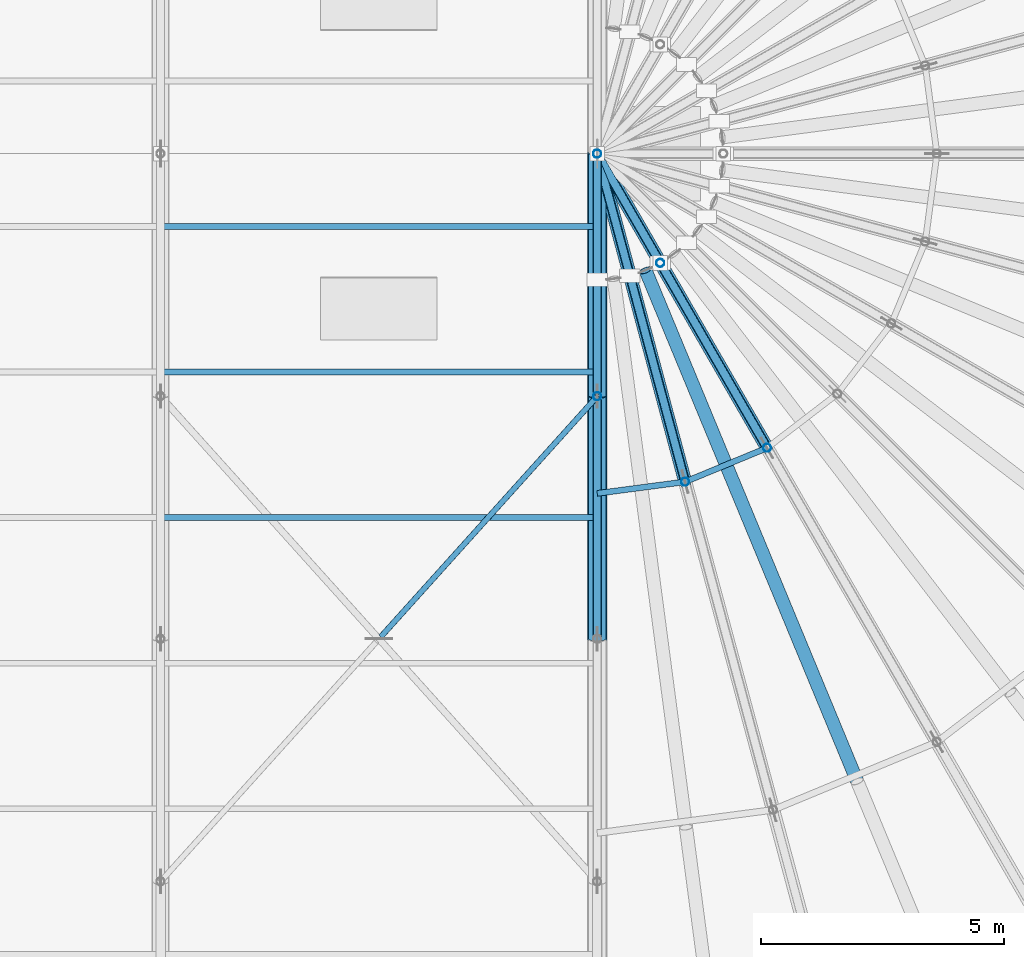
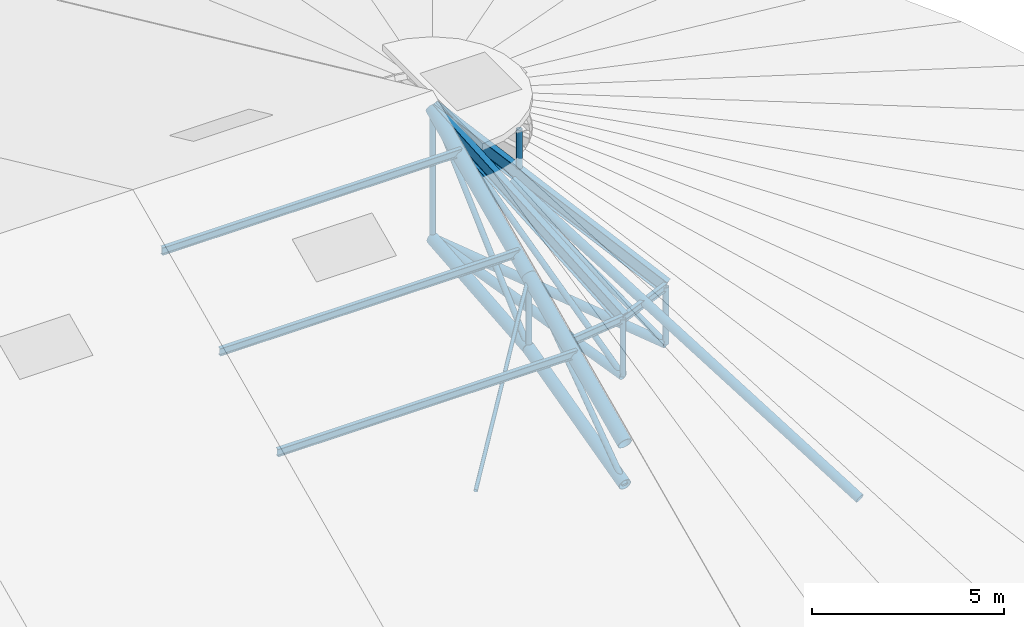
# One storey, part 37 of 107: 24 members.
"""IFC4 building model written with IfcOpenShell, lengths in metres."""

from ifc_helpers import new_model, si_unit, derived_unit, direction, frame, origin, origin_2d, place, context, subcontext, project, spatial, hollow_circle, i_section, extrude, material, material_profile, profile_set, type_object, element, save


model = new_model("IFC4")

# Units and contexts
model_context = context("Model", 3, precision=1e-05, world=origin(), true_north=direction((0.0, 1.0)))
body_context = subcontext(model_context, "Body", "Model", "MODEL_VIEW")
ifc_project = project(units=[si_unit("LENGTHUNIT", "METRE"), si_unit("AREAUNIT", "SQUARE_METRE"), si_unit("VOLUMEUNIT", "CUBIC_METRE"), si_unit("PLANEANGLEUNIT", "RADIAN"), si_unit("MASSUNIT", "GRAM", prefix="KILO"), si_unit("THERMODYNAMICTEMPERATUREUNIT", "KELVIN"), si_unit("TIMEUNIT", "SECOND"), derived_unit("THERMALTRANSMITTANCEUNIT", [(si_unit("MASSUNIT", "GRAM", prefix="KILO"), 1), (si_unit("THERMODYNAMICTEMPERATUREUNIT", "KELVIN"), -1), (si_unit("TIMEUNIT", "SECOND"), -3)])], contexts=[model_context])

# Site, building, storey
site_placement = place(None, origin())
site = spatial("IfcSite", under=ifc_project, at=site_placement, CompositionType="ELEMENT")
building_placement = place(site_placement, origin())
building = spatial("IfcBuilding", under=site, at=building_placement, Name="Cambertide Market Hall", CompositionType="ELEMENT")
storey_placement = place(building_placement, frame((0.0, 0.0, 18.300048828125)))
storey = spatial("IfcBuildingStorey", under=building, at=storey_placement, Name="RF", CompositionType="ELEMENT", Elevation=18.300048828125)

# Members
ifc_material_1 = material(Name="Steel S355", Category="steel")
ifc_material_profile_1 = material_profile(ifc_material_1, hollow_circle(Radius=0.136474609375, WallThickness=0.010009765625, at=origin_2d()), Name="CHS 273x10")
ifc_profile_set_1 = profile_set([ifc_material_profile_1], Name="Steel S355")
member_type_1 = type_object("IfcMemberType", Name="Arched Truss Chord CHS 273x10", PredefinedType="CHORD", material=ifc_profile_set_1)
for number, where, z_axis, x_axis, name in (
    (1, (105.0, 72.0, -4.5), (0.256795291619, -0.958354076456, -0.124954561115), (0.965924543531, 0.258823832372, 0.0), "Half-Cone Radial Arch Chord E-02-1"),
    (2, (105.0, 72.0, -4.5), (0.496076515077, -0.859240788635, -0.124953424661), (0.866028190633, 0.499995173006, 0.0), "Half-Cone Radial Arch Chord E-04-1"),
):
    element("IfcMember", number, at=place(storey_placement, frame(where, z_axis=z_axis, x_axis=x_axis)), inside=storey, type_object=member_type_1, Name=name, PredefinedType="CHORD", context=body_context, shape_type="SweptSolid", body=[
        extrude(hollow_circle(Radius=0.136474609375, WallThickness=0.010009765625, at=origin_2d()), origin(), (0.0, 0.0, 1.0), 7.055419921875),
    ])
ifc_material_2 = material(Name="Steel S355", Category="steel")
ifc_material_profile_2 = material_profile(ifc_material_2, hollow_circle(Radius=0.177734375, WallThickness=0.012451171875, at=origin_2d()), Name="CHS 355.6x12.5")
ifc_profile_set_2 = profile_set([ifc_material_profile_2], Name="Steel S355")
member_type_2 = type_object("IfcMemberType", Name="Arched Truss Chord CHS 355.6x12.5", PredefinedType="CHORD", material=ifc_profile_set_2)
member_1_placement = place(storey_placement, frame((105.0, 62.0, -6.251220703125), z_axis=(0.0, 0.968015607618, 0.250889982678), x_axis=(-1.0, 0.0, 0.0)))
element("IfcMember", 3, at=member_1_placement, inside=storey, type_object=member_type_2, Name="Roof Truss 8 Arched Bottom Chord 3", PredefinedType="CHORD", context=body_context, shape_type="SweptSolid", body=[
    extrude(hollow_circle(Radius=0.177734375, WallThickness=0.012451171875, at=origin_2d()), origin(), (0.0, 0.0, 1.0), 5.165283203125),
])
member_2_placement = place(storey_placement, frame((105.0, 67.0, -4.955322265625), z_axis=(0.0, 0.9958792443, 0.090689198761), x_axis=(-1.0, 0.0, 0.0)))
element("IfcMember", 4, at=member_2_placement, inside=storey, type_object=member_type_2, Name="Roof Truss 8 Arched Bottom Chord 4", PredefinedType="CHORD", context=body_context, shape_type="SweptSolid", body=[
    extrude(hollow_circle(Radius=0.177734375, WallThickness=0.012451171875, at=origin_2d()), origin(), (0.0, 0.0, 1.0), 5.020751953125),
])
ifc_material_3 = material(Name="Steel S355", Category="steel")
ifc_material_profile_3 = material_profile(ifc_material_3, hollow_circle(Radius=0.203125, WallThickness=0.01416015625, at=origin_2d()), Name="CHS 406.4x14.2")
ifc_profile_set_3 = profile_set([ifc_material_profile_3], Name="Steel S355")
member_type_3 = type_object("IfcMemberType", Name="Arched Truss Chord CHS 406.4x14.2", PredefinedType="CHORD", material=ifc_profile_set_3)
for number, where, z_axis, x_axis, name in (
    (5, (105.0, 62.0, -4.949951171875), (0.0, 0.908503925861, 0.417876317461), (-1.0, 0.0, 0.0), "Roof Truss 8 Top Chord 3"),
    (6, (105.0, 67.0, -2.650146484375), (0.0, 0.908487084298, 0.417912930721), (-1.0, 0.0, 0.0), "Roof Truss 8 Top Chord 4"),
):
    element("IfcMember", number, at=place(storey_placement, frame(where, z_axis=z_axis, x_axis=x_axis)), inside=storey, type_object=member_type_3, Name=name, PredefinedType="CHORD", context=body_context, shape_type="SweptSolid", body=[
        extrude(hollow_circle(Radius=0.203125, WallThickness=0.01416015625, at=origin_2d()), origin(), (0.0, 0.0, 1.0), 5.503662109375),
    ])
ifc_material_4 = material(Name="Steel S355", Category="steel")
ifc_material_profile_4 = material_profile(ifc_material_4, hollow_circle(Radius=0.136474609375, WallThickness=0.010009765625, at=origin_2d()), Name="CHS 273x10")
ifc_profile_set_4 = profile_set([ifc_material_profile_4], Name="Steel S355")
member_type_4 = type_object("IfcMemberType", Name="Radial Fan Rafter CHS 273x10", PredefinedType="RAFTER", material=ifc_profile_set_4)
member_3_placement = place(storey_placement, frame((105.994873046875, 69.597900390625, -1.546142578125), z_axis=(0.347679586527, -0.839333931883, -0.417896465529), x_axis=(0.923873271292, 0.382698547937, 0.0)))
element("IfcMember", 7, at=member_3_placement, inside=storey, type_object=member_type_4, Name="RAF-E-03-A", PredefinedType="RAFTER", context=body_context, shape_type="SweptSolid", body=[
    extrude(hollow_circle(Radius=0.136474609375, WallThickness=0.010009765625, at=origin_2d()), origin(), (0.0, 0.0, 1.0), 12.54833984375),
])
ifc_material_5 = material(Name="Steel S355", Category="steel")
ifc_material_profile_5 = material_profile(ifc_material_5, i_section(OverallWidth=0.18994140625, OverallDepth=0.449951171875, WebThickness=0.009521484375, FlangeThickness=0.0146484375, FilletRadius=0.02099609375, at=origin_2d()), Name="IPE 450")
ifc_profile_set_5 = profile_set([ifc_material_profile_5], Name="Steel S355")
member_type_5 = type_object("IfcMemberType", Name="Radial Fan Rafter IPE 450", PredefinedType="RAFTER", material=ifc_profile_set_5)
for number, where, z_axis, x_axis, name in (
    (8, (105.0, 72.0, -0.35009765625), (0.235139371303, -0.877534683767, -0.417902326925), (0.965924543531, 0.258823832372, 0.0), "Half-Cone Radial Truss Rafter E-02-1"),
    (9, (105.0, 72.0, -0.35009765625), (0.454242328693, -0.786780919627, -0.417899140146), (0.866028190633, 0.499995173006, 0.0), "Half-Cone Radial Truss Rafter E-04-1"),
):
    element("IfcMember", number, at=place(storey_placement, frame(where, z_axis=z_axis, x_axis=x_axis)), inside=storey, type_object=member_type_5, Name=name, PredefinedType="RAFTER", context=body_context, shape_type="SweptSolid", body=[
        extrude(i_section(OverallWidth=0.18994140625, OverallDepth=0.449951171875, WebThickness=0.009521484375, FlangeThickness=0.0146484375, FilletRadius=0.02099609375, at=origin_2d()), origin(), (0.0, 0.0, 1.0), 7.705078125),
    ])
ifc_material_6 = material(Name="Steel S275", Category="steel")
ifc_material_profile_6 = material_profile(ifc_material_6, i_section(OverallWidth=0.1201171875, OverallDepth=0.239990234375, WebThickness=0.006103515625, FlangeThickness=0.009765625, FilletRadius=0.014892578125, at=origin_2d()), Name="IPE 240")
ifc_profile_set_6 = profile_set([ifc_material_profile_6], Name="Steel S275")
member_type_6 = type_object("IfcMemberType", Name="Roof Purlin IPE 240", PredefinedType="PURLIN", material=ifc_profile_set_6)
for number, where, z_axis, x_axis, name in (
    (10, (96.0, 64.5, -3.590087890625), (1.0, 0.0, 0.0), (0.0, 1.0, 0.0), "Barrel Roof Purlin 7-06"),
    (11, (96.0, 67.5, -2.2099609375), (1.0, 0.0, 0.0), (0.0, 1.0, 0.0), "Barrel Roof Purlin 7-07"),
    (12, (96.0, 70.5, -0.830078125), (1.0, 0.0, 0.0), (0.0, 1.0, 0.0), "Barrel Roof Purlin 7-08"),
):
    element("IfcMember", number, at=place(storey_placement, frame(where, z_axis=z_axis, x_axis=x_axis)), inside=storey, type_object=member_type_6, Name=name, PredefinedType="PURLIN", context=body_context, shape_type="SweptSolid", body=[
        extrude(i_section(OverallWidth=0.1201171875, OverallDepth=0.239990234375, WebThickness=0.006103515625, FlangeThickness=0.009765625, FilletRadius=0.014892578125, at=origin_2d()), origin(), (0.0, 0.0, 1.0), 9.0),
    ])
for number, where, z_axis, x_axis, name in (
    (13, (105.0, 65.0, -3.570068359375), (0.991444743541, 0.130527087244, 0.0), (-0.130527087244, 0.991444743541, 0.0), "CPUR-E-70-01"),
    (14, (106.811767578125, 65.238525390625, -3.570068359375), (0.923893078809, 0.382650727073, 0.0), (-0.382650727073, 0.923893078809, 0.0), "CPUR-E-70-02"),
):
    element("IfcMember", number, at=place(storey_placement, frame(where, z_axis=z_axis, x_axis=x_axis)), inside=storey, type_object=member_type_6, Name=name, PredefinedType="PURLIN", context=body_context, shape_type="SweptSolid", body=[
        extrude(i_section(OverallWidth=0.1201171875, OverallDepth=0.239990234375, WebThickness=0.006103515625, FlangeThickness=0.009765625, FilletRadius=0.014892578125, at=origin_2d()), origin(), (0.0, 0.0, 1.0), 1.827392578125),
    ])
ifc_material_7 = material(Name="Steel S275", Category="steel")
ifc_material_profile_7 = material_profile(ifc_material_7, hollow_circle(Radius=0.05712890625, WallThickness=0.0048828125, at=origin_2d()), Name="CHS 114.3x5")
ifc_profile_set_7 = profile_set([ifc_material_profile_7], Name="Steel S275")
member_type_7 = type_object("IfcMemberType", Name="Structural Brace CHS 114.3x5", PredefinedType="BRACE", material=ifc_profile_set_7)
member_4_placement = place(storey_placement, frame((105.0, 67.0, -2.650146484375), z_axis=(-0.632999690254, -0.703313698634, -0.323513884481), x_axis=(0.743285022771, -0.66897486868, 0.0)))
element("IfcMember", 15, at=member_4_placement, inside=storey, type_object=member_type_7, Name="Roof Wind X-Brace Split Segment 7-S2A", PredefinedType="BRACE", context=body_context, shape_type="SweptSolid", body=[
    extrude(hollow_circle(Radius=0.05712890625, WallThickness=0.0048828125, at=origin_2d()), origin(), (0.0, 0.0, 1.0), 7.031005859375),
])
ifc_material_8 = material(Name="Steel S355", Category="steel")
ifc_material_profile_8 = material_profile(ifc_material_8, hollow_circle(Radius=0.084228515625, WallThickness=0.00634765625, at=origin_2d()), Name="CHS 168.3x6.3")
ifc_profile_set_8 = profile_set([ifc_material_profile_8], Name="Steel S355")
member_type_8 = type_object("IfcMemberType", Name="Structural Brace CHS 168.3x6.3", PredefinedType="BRACE", material=ifc_profile_set_8)
member_5_placement = place(storey_placement, frame((105.0, 62.0, -6.251220703125), z_axis=(0.0, 0.811451666424, 0.584419535144), x_axis=(-1.0, 0.0, 0.0)))
element("IfcMember", 16, at=member_5_placement, inside=storey, type_object=member_type_8, Name="Roof Truss 8 Web Diagonal 3", PredefinedType="BRACE", context=body_context, shape_type="SweptSolid", body=[
    extrude(hollow_circle(Radius=0.084228515625, WallThickness=0.00634765625, at=origin_2d()), origin(), (0.0, 0.0, 1.0), 6.161865234375),
])
member_6_placement = place(storey_placement, frame((105.0, 67.0, -4.955322265625), z_axis=(0.0, 0.73554793102, 0.677472686662), x_axis=(-1.0, 0.0, 0.0)))
element("IfcMember", 17, at=member_6_placement, inside=storey, type_object=member_type_8, Name="Roof Truss 8 Web Diagonal 4", PredefinedType="BRACE", context=body_context, shape_type="SweptSolid", body=[
    extrude(hollow_circle(Radius=0.084228515625, WallThickness=0.00634765625, at=origin_2d()), origin(), (0.0, 0.0, 1.0), 6.797607421875),
])
member_7_placement = place(storey_placement, frame((105.0, 67.0, -4.955322265625), z_axis=(0.0, 0.0, 1.0), x_axis=(1.0, 0.0, 0.0)))
element("IfcMember", 18, at=member_7_placement, inside=storey, type_object=member_type_8, Name="Roof Truss 8 Web Post 4", PredefinedType="BRACE", context=body_context, shape_type="SweptSolid", body=[
    extrude(hollow_circle(Radius=0.084228515625, WallThickness=0.00634765625, at=origin_2d()), origin(), (0.0, 0.0, 1.0), 2.30517578125),
])
member_8_placement = place(storey_placement, frame((105.0, 72.0, -4.5), z_axis=(0.0, 0.0, 1.0), x_axis=(1.0, 0.0, 0.0)))
element("IfcMember", 19, at=member_8_placement, inside=storey, type_object=member_type_8, Name="Roof Truss 8 Web Post 5", PredefinedType="BRACE", context=body_context, shape_type="SweptSolid", body=[
    extrude(hollow_circle(Radius=0.084228515625, WallThickness=0.00634765625, at=origin_2d()), origin(), (0.0, 0.0, 1.0), 4.14990234375),
])
member_9_placement = place(storey_placement, frame((106.811767578125, 65.238525390625, -5.381591796875), z_axis=(-0.210165486158, 0.784332723238, 0.58365456195), x_axis=(-0.965924543531, -0.258823832372, 0.0)))
element("IfcMember", 20, at=member_9_placement, inside=storey, type_object=member_type_8, Name="RWB-E-02-D1", PredefinedType="BRACE", context=body_context, shape_type="SweptSolid", body=[
    extrude(hollow_circle(Radius=0.084228515625, WallThickness=0.00634765625, at=origin_2d()), origin(), (0.0, 0.0, 1.0), 8.62060546875),
])
member_10_placement = place(storey_placement, frame((106.811767578125, 65.238525390625, -5.381591796875), z_axis=(0.0, 0.0, 1.0), x_axis=(1.0, 0.0, 0.0)))
element("IfcMember", 21, at=member_10_placement, inside=storey, type_object=member_type_8, Name="RWV-E-02-V1", PredefinedType="BRACE", context=body_context, shape_type="SweptSolid", body=[
    extrude(hollow_circle(Radius=0.084228515625, WallThickness=0.00634765625, at=origin_2d()), origin(), (0.0, 0.0, 1.0), 1.8115234375),
])
member_11_placement = place(storey_placement, frame((108.5, 65.937744140625, -5.381591796875), z_axis=(-0.405998390403, 0.703218891749, 0.583651006405), x_axis=(-0.866028190633, -0.499995173006, 0.0)))
element("IfcMember", 22, at=member_11_placement, inside=storey, type_object=member_type_8, Name="RWB-E-04-D1", PredefinedType="BRACE", context=body_context, shape_type="SweptSolid", body=[
    extrude(hollow_circle(Radius=0.084228515625, WallThickness=0.00634765625, at=origin_2d()), origin(), (0.0, 0.0, 1.0), 8.62060546875),
])
member_12_placement = place(storey_placement, frame((108.5, 65.937744140625, -5.381591796875), z_axis=(0.0, 0.0, 1.0), x_axis=(1.0, 0.0, 0.0)))
element("IfcMember", 23, at=member_12_placement, inside=storey, type_object=member_type_8, Name="RWV-E-04-V1", PredefinedType="BRACE", context=body_context, shape_type="SweptSolid", body=[
    extrude(hollow_circle(Radius=0.084228515625, WallThickness=0.00634765625, at=origin_2d()), origin(), (0.0, 0.0, 1.0), 1.8115234375),
])
member_13_placement = place(storey_placement, frame((106.300048828125, 69.748291015625, -1.345947265625), z_axis=(0.0, 0.0, 1.0), x_axis=(1.0, 0.0, 0.0)))
element("IfcMember", 24, at=member_13_placement, inside=storey, type_object=member_type_8, Name="Oculus Lantern Curb Post E-1", PredefinedType="BRACE", context=body_context, shape_type="SweptSolid", body=[
    extrude(hollow_circle(Radius=0.084228515625, WallThickness=0.00634765625, at=origin_2d()), origin(), (0.0, 0.0, 1.0), 1.23583984375),
])

save(model, "model.ifc")
